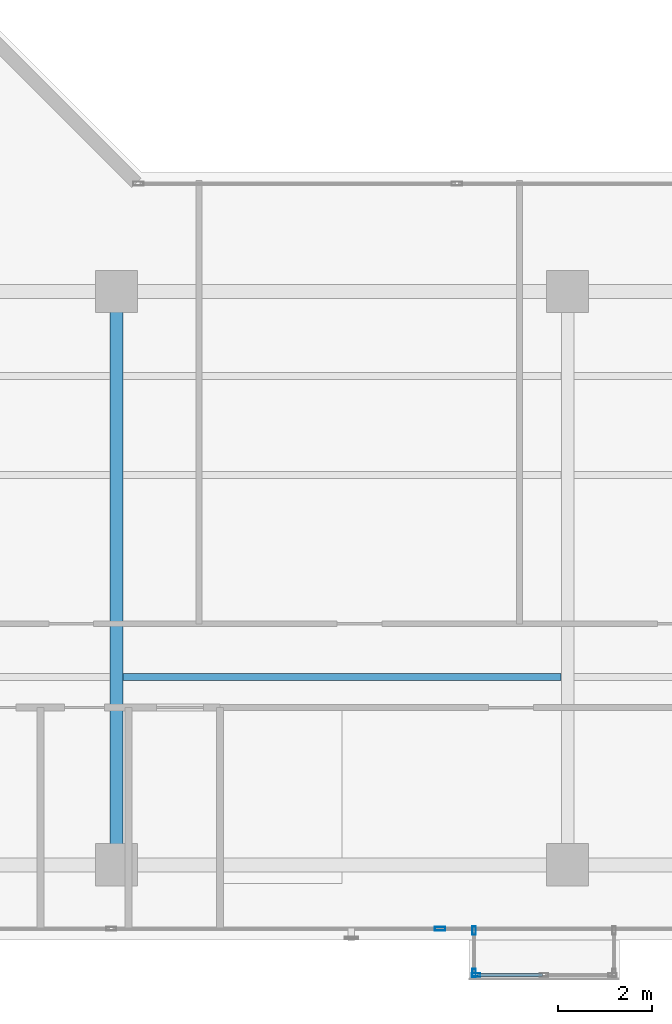
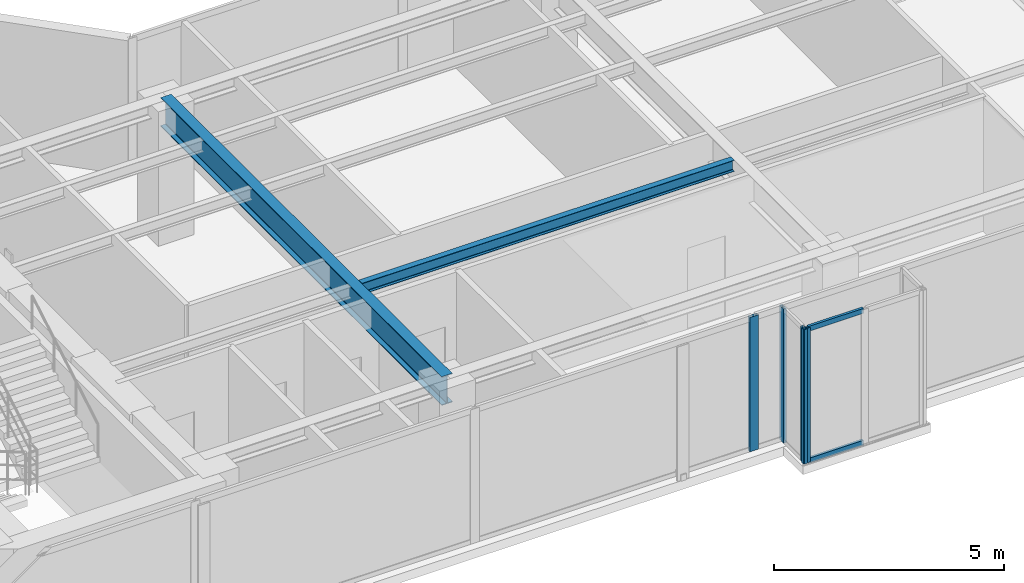
# One storey, part 5 of 24: 6 members, 2 beams, 3 elements without a shape of their own.
"""IFC4 building model written with IfcOpenShell, lengths in metres."""

from ifc_helpers import new_model, si_unit, direction, frame, origin, origin_with_axes, origin_2d, place, context, subcontext, project, spatial, hollow_rectangle, i_section, extrude, source, transform, mapped, material, layer, layer_set, material_profile, profile_set, type_object, element, aggregate, save


model = new_model("IFC4")

# Units and contexts
model_context = context("Model", 3, precision=1e-05, world=origin(), true_north=direction((0.0, 1.0)))
body_context = subcontext(model_context, "Body", "Model", "MODEL_VIEW")
ifc_project = project(units=[si_unit("LENGTHUNIT", "METRE"), si_unit("AREAUNIT", "SQUARE_METRE"), si_unit("VOLUMEUNIT", "CUBIC_METRE"), si_unit("PLANEANGLEUNIT", "RADIAN"), si_unit("MASSUNIT", "GRAM", prefix="KILO")], contexts=[model_context])

# Site, building, storey
site_placement = place(None, origin())
site = spatial("IfcSite", under=ifc_project, at=site_placement, CompositionType="ELEMENT")
building_placement = place(site_placement, origin())
building = spatial("IfcBuilding", under=site, at=building_placement, Name="Kolvaren Waterfront Exchange", CompositionType="ELEMENT")
storey_placement = place(building_placement, frame((0.0, 0.0, 285.60009765625)))
storey = spatial("IfcBuildingStorey", under=building, at=storey_placement, Name="L73", CompositionType="ELEMENT", Elevation=285.60009765625)

# Beams
ifc_material_1 = material(Name="Steel S355", Category="steel")
ifc_material_profile_1 = material_profile(ifc_material_1, i_section(OverallWidth=0.14990234375, OverallDepth=0.300048828125, WebThickness=0.007080078125, FlangeThickness=0.0107421875, FilletRadius=0.014892578125, at=origin_2d()), Name="IPE300")
ifc_profile_set_1 = profile_set([ifc_material_profile_1], Name="Steel S355")
beam_type_1 = type_object("IfcBeamType", Name="STR-BM-IPE300", PredefinedType="JOIST", material=ifc_profile_set_1)
beam_1_placement = place(storey_placement, frame((27.33544921875, 9.199951171875, 3.409912109375), z_axis=(1.0, 0.0, 0.0), x_axis=(0.0, 1.0, 0.0)))
element("IfcBeam", 1, at=beam_1_placement, inside=storey, type_object=beam_type_1, Name="L73 east-arm composite joist 2B", PredefinedType="JOIST", context=body_context, shape_type="SweptSolid", body=[
    extrude(i_section(OverallWidth=0.14990234375, OverallDepth=0.300048828125, WebThickness=0.007080078125, FlangeThickness=0.0107421875, FilletRadius=0.014892578125, at=origin_2d()), origin(), (0.0, 0.0, 1.0), 9.3291015625),
])
ifc_material_profile_2 = material_profile(ifc_material_1, i_section(OverallWidth=0.26708984375, OverallDepth=0.761962890625, WebThickness=0.014404296875, FlangeThickness=0.021484375, FilletRadius=0.01708984375, at=origin_2d()), Name="IPE750x173")
ifc_profile_set_2 = profile_set([ifc_material_profile_2], Name="Steel S355")
beam_type_2 = type_object("IfcBeamType", Name="STR-BM-IPE750", PredefinedType="BEAM", material=ifc_profile_set_2)
beam_2_placement = place(storey_placement, frame((27.199951171875, 5.199951171875, 3.178955078125), z_axis=(0.0, 1.0, 0.0), x_axis=(-1.0, 0.0, 0.0)))
element("IfcBeam", 2, at=beam_2_placement, inside=storey, type_object=beam_type_2, Name="L73 east-arm transverse girder X27", PredefinedType="BEAM", context=body_context, shape_type="SweptSolid", body=[
    extrude(i_section(OverallWidth=0.26708984375, OverallDepth=0.761962890625, WebThickness=0.014404296875, FlangeThickness=0.021484375, FilletRadius=0.01708984375, at=origin_2d()), origin(), (0.0, 0.0, 1.0), 12.199951171875),
])

# Curtain wall, members
ifc_material_2 = material(Name="Anodised bronze aluminium 6063-T6", Category="aluminium")
ifc_layer_1 = layer(ifc_material_2, 0.219970703125, Name="Anodised bronze aluminium 6063-T6")
ifc_layer_set_1 = layer_set([ifc_layer_1], Name="Anodised bronze aluminium 6063-T6")
curtain_wall_type_1 = type_object("IfcCurtainWallType", Name="ARC-CW-SYS3", PredefinedType="USERDEFINED", material=ifc_layer_set_1)
curtain_wall_1_placement = place(storey_placement, origin())
curtain_wall_1 = element("IfcCurtainWall", 3, at=curtain_wall_1_placement, inside=storey, type_object=curtain_wall_type_1, Name="L73 stick curtain wall CW3 (CW-L73-BOX)", ObjectType="STICK CURTAIN WALL", PredefinedType="USERDEFINED")
ifc_material_profile_3 = material_profile(ifc_material_2, hollow_rectangle(XDim=0.06494140625, YDim=0.1298828125, WallThickness=0.00390625, at=origin_2d()), Name="ALU-TRN-130x65x4")
ifc_profile_set_3 = profile_set([ifc_material_profile_3], Name="Anodised bronze aluminium 6063-T6")
member_type_1 = type_object("IfcMemberType", Name="ARC-CWT-130", PredefinedType="USERDEFINED", material=ifc_profile_set_3)
shared_shape_1 = source(origin_with_axes(), body_context, "Body", "SweptSolid", [
    extrude(hollow_rectangle(XDim=0.06494140625, YDim=0.1298828125, WallThickness=0.00390625, at=origin_2d()), origin(), (0.0, 0.0, 1.0), 1.37744140625),
])
member_1_placement = place(storey_placement, frame((34.885009765625, 2.860107421875, 0.032470703125), z_axis=(1.0, 0.0, 0.0), x_axis=(0.0, 1.0, 0.0)))
member_1 = element("IfcMember", 4, at=member_1_placement, type_object=member_type_1, Name="CW3 transom 1.1", ObjectType="TRANSOM", PredefinedType="USERDEFINED", context=body_context, shape_type="MappedRepresentation", body=[
    mapped(shared_shape_1, transform((0.0, 0.0, 0.0), x_axis=(1.0, 0.0, 0.0), y_axis=(0.0, 1.0, 0.0), z_axis=(0.0, 0.0, 1.0), scale=1.0)),
])
member_2_placement = place(storey_placement, frame((34.885009765625, 2.860107421875, 3.52734375), z_axis=(1.0, 0.0, 0.0), x_axis=(0.0, 1.0, 0.0)))
member_2 = element("IfcMember", 5, at=member_2_placement, type_object=member_type_1, Name="CW3 transom 1.2", ObjectType="TRANSOM", PredefinedType="USERDEFINED", context=body_context, shape_type="MappedRepresentation", body=[
    mapped(shared_shape_1, transform((0.0, 0.0, 0.0), x_axis=(1.0, 0.0, 0.0), y_axis=(0.0, 1.0, 0.0), z_axis=(0.0, 0.0, 1.0), scale=1.0)),
])

curtain_wall_2_placement = place(storey_placement, origin())
curtain_wall_2 = element("IfcCurtainWall", 6, at=curtain_wall_2_placement, inside=storey, type_object=curtain_wall_type_1, Name="L73 stick curtain wall CW3 (CW-L73-BOX-W)", ObjectType="STICK CURTAIN WALL", PredefinedType="USERDEFINED")
ifc_material_profile_4 = material_profile(ifc_material_2, hollow_rectangle(XDim=0.074951171875, YDim=0.179931640625, WallThickness=0.00439453125, at=origin_2d()), Name="ALU-MUL-180x75x4.5")
ifc_profile_set_4 = profile_set([ifc_material_profile_4], Name="Anodised bronze aluminium 6063-T6")
member_type_2 = type_object("IfcMemberType", Name="ARC-CWM-180", PredefinedType="MULLION", material=ifc_profile_set_4)
shared_shape_2 = source(origin_with_axes(), body_context, "Body", "SweptSolid", [
    extrude(hollow_rectangle(XDim=0.074951171875, YDim=0.179931640625, WallThickness=0.00439453125, at=origin_2d()), origin(), (0.0, 0.0, 1.0), 3.559814453125),
])
member_3_placement = place(storey_placement, frame((34.81005859375, 3.802490234375, 0.0), z_axis=(0.0, 0.0, 1.0), x_axis=(1.0, 0.0, 0.0)))
member_3 = element("IfcMember", 7, at=member_3_placement, type_object=member_type_2, Name="CW3 mullion 1", PredefinedType="MULLION", context=body_context, shape_type="MappedRepresentation", body=[
    mapped(shared_shape_2, transform((0.0, 0.0, 0.0), x_axis=(1.0, 0.0, 0.0), y_axis=(0.0, 1.0, 0.0), z_axis=(0.0, 0.0, 1.0), scale=1.0)),
])
member_4_placement = place(storey_placement, frame((34.81005859375, 2.8974609375, 0.0), z_axis=(0.0, 0.0, 1.0), x_axis=(1.0, 0.0, 0.0)))
member_4 = element("IfcMember", 8, at=member_4_placement, type_object=member_type_2, Name="CW3 mullion 2", PredefinedType="MULLION", context=body_context, shape_type="MappedRepresentation", body=[
    mapped(shared_shape_2, transform((0.0, 0.0, 0.0), x_axis=(1.0, 0.0, 0.0), y_axis=(0.0, 1.0, 0.0), z_axis=(0.0, 0.0, 1.0), scale=1.0)),
])
aggregate(curtain_wall_2, [member_3, member_4])

# Member
member_5_placement = place(storey_placement, frame((34.847412109375, 2.860107421875, 0.0), z_axis=(0.0, 0.0, 1.0), x_axis=(0.0, 1.0, 0.0)))
member_5 = element("IfcMember", 9, at=member_5_placement, type_object=member_type_2, Name="CW3 mullion 1", PredefinedType="MULLION", context=body_context, shape_type="MappedRepresentation", body=[
    mapped(shared_shape_2, transform((0.0, 0.0, 0.0), x_axis=(1.0, 0.0, 0.0), y_axis=(0.0, 1.0, 0.0), z_axis=(0.0, 0.0, 1.0), scale=1.0)),
])

aggregate(curtain_wall_1, [member_5, member_1, member_2])

# Curtain wall, member
ifc_layer_2 = layer(ifc_material_2, 0.219970703125, Name="Anodised bronze aluminium 6063-T6")
ifc_layer_set_2 = layer_set([ifc_layer_2], Name="Anodised bronze aluminium 6063-T6")
curtain_wall_type_2 = type_object("IfcCurtainWallType", Name="ARC-CW-SYS1", PredefinedType="USERDEFINED", material=ifc_layer_set_2)
curtain_wall_3_placement = place(storey_placement, origin())
curtain_wall_3 = element("IfcCurtainWall", 10, at=curtain_wall_3_placement, inside=storey, type_object=curtain_wall_type_2, Name="L73 stick curtain wall CW1 (CW-L73-S)", ObjectType="STICK CURTAIN WALL", PredefinedType="USERDEFINED")
ifc_material_3 = material(Name="Anodised aluminium 6063-T6", Category="aluminium")
ifc_material_profile_5 = material_profile(ifc_material_3, hollow_rectangle(XDim=0.080078125, YDim=0.219970703125, WallThickness=0.0048828125, at=origin_2d()), Name="ALU-MUL-220x80x5")
ifc_profile_set_5 = profile_set([ifc_material_profile_5], Name="Anodised aluminium 6063-T6")
member_type_3 = type_object("IfcMemberType", Name="ARC-CWM-220", PredefinedType="MULLION", material=ifc_profile_set_5)
shared_shape_3 = source(origin_with_axes(), body_context, "Body", "SweptSolid", [
    extrude(hollow_rectangle(XDim=0.080078125, YDim=0.219970703125, WallThickness=0.0048828125, at=origin_2d()), origin(), (0.0, 0.0, 1.0), 3.559814453125),
])
member_6_placement = place(storey_placement, frame((34.0859375, 3.840087890625, 0.0), z_axis=(0.0, 0.0, 1.0), x_axis=(0.0, 1.0, 0.0)))
member_6 = element("IfcMember", 11, at=member_6_placement, type_object=member_type_3, Name="CW1 mullion 5", PredefinedType="MULLION", context=body_context, shape_type="MappedRepresentation", body=[
    mapped(shared_shape_3, transform((0.0, 0.0, 0.0), x_axis=(1.0, 0.0, 0.0), y_axis=(0.0, 1.0, 0.0), z_axis=(0.0, 0.0, 1.0), scale=1.0)),
])
aggregate(curtain_wall_3, [member_6])

save(model, "model.ifc")
